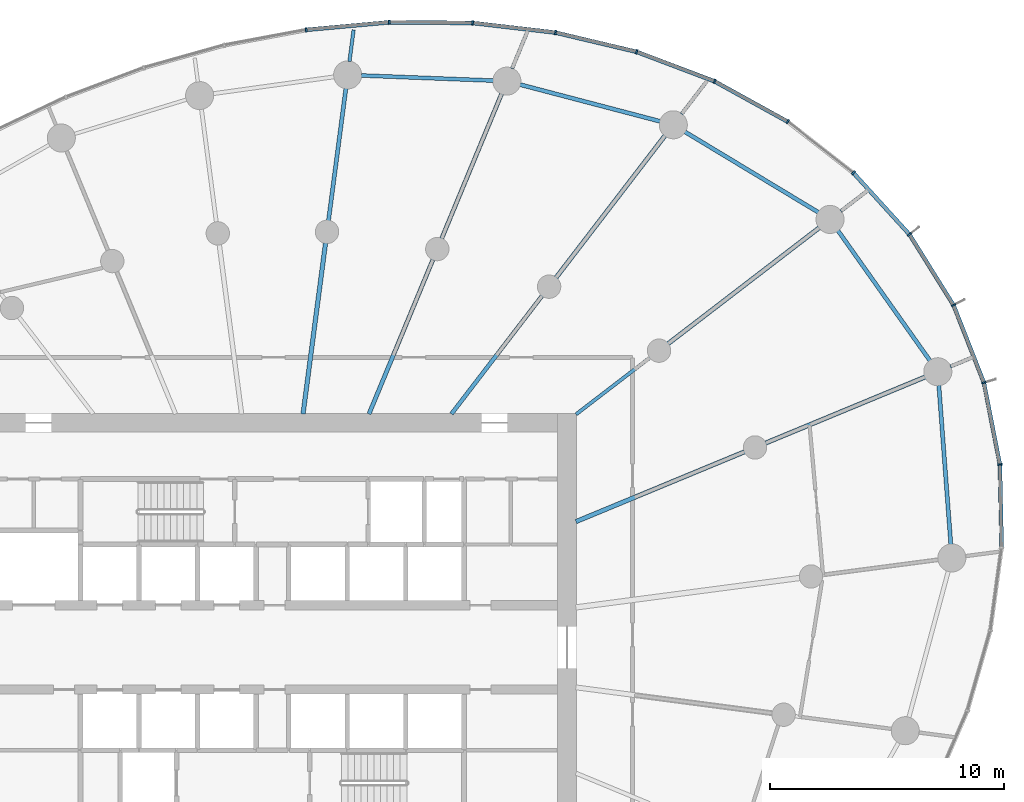
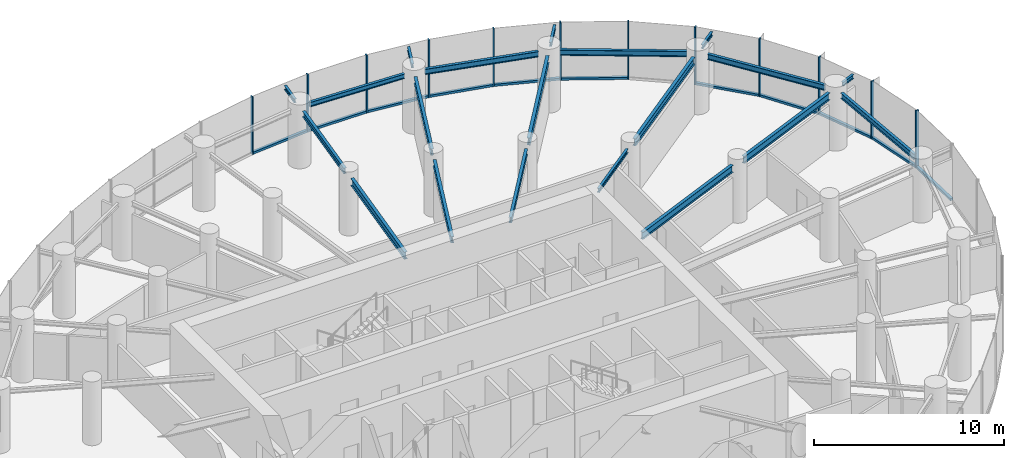
# One storey, part 7 of 17: 23 members, 20 beams, 3 elements without a shape of their own.
"""IFC4 building model written with IfcOpenShell, lengths in metres."""

from ifc_helpers import new_model, si_unit, direction, frame, origin, origin_2d, place, context, subcontext, project, spatial, rectangle, i_section, extrude, source, transform, mapped, material, layer, layer_set, material_profile, profile_set, type_object, element, aggregate, save


model = new_model("IFC4")

# Units and contexts
model_context = context("Model", 3, precision=1e-05, world=origin(), true_north=direction((0.0, 1.0)))
body_context = subcontext(model_context, "Body", "Model", "MODEL_VIEW")
ifc_project = project(units=[si_unit("LENGTHUNIT", "METRE"), si_unit("AREAUNIT", "SQUARE_METRE"), si_unit("VOLUMEUNIT", "CUBIC_METRE"), si_unit("PLANEANGLEUNIT", "RADIAN"), si_unit("MASSUNIT", "GRAM", prefix="KILO")], contexts=[model_context])

# Site, building, storey
site_placement = place(None, origin())
site = spatial("IfcSite", under=ifc_project, at=site_placement, CompositionType="ELEMENT")
building_placement = place(site_placement, origin())
building = spatial("IfcBuilding", under=site, at=building_placement, Name="Spindrift Exchange Tower", CompositionType="ELEMENT")
storey_placement = place(building_placement, frame((0.0, 0.0, 100.300048828125)))
storey = spatial("IfcBuildingStorey", under=building, at=storey_placement, Name="L23", CompositionType="ELEMENT", Elevation=100.300048828125)

# Beams
ifc_material_1 = material(Name="Steel Grade 300", Category="steel")
ifc_material_profile_1 = material_profile(ifc_material_1, i_section(OverallWidth=0.18994140625, OverallDepth=0.45703125, WebThickness=0.009033203125, FlangeThickness=0.014404296875, FilletRadius=0.013916015625, at=origin_2d()), Name="460UB74.6")
ifc_profile_set_1 = profile_set([ifc_material_profile_1], Name="Steel Grade 300")
beam_type_1 = type_object("IfcBeamType", Name="Floor Beam 460UB74.6 Steel Grade 300", PredefinedType="BEAM", material=ifc_profile_set_1)
shared_shape_1 = source(origin(), body_context, "Body", "SweptSolid", [
    extrude(i_section(OverallWidth=0.18994140625, OverallDepth=0.45703125, WebThickness=0.009033203125, FlangeThickness=0.014404296875, FilletRadius=0.013916015625, at=origin_2d()), origin(), (0.0, 0.0, 1.0), 7.808837890625),
])
beam_1_placement = place(storey_placement, frame((64.9814453125, 53.377197265625, 3.471435546875), z_axis=(0.92387965154, 0.382683145003, 0.0), x_axis=(-0.382683145003, 0.92387965154, 0.0)))
element("IfcBeam", 1, at=beam_1_placement, inside=storey, type_object=beam_type_1, Name="L23 radial beam R02A", PredefinedType="BEAM", context=body_context, shape_type="MappedRepresentation", body=[
    mapped(shared_shape_1, transform((0.0, 0.0, 0.0), scale=1.0)),
])
ifc_material_profile_2 = material_profile(ifc_material_1, i_section(OverallWidth=0.14599609375, OverallDepth=0.251953125, WebThickness=0.006103515625, FlangeThickness=0.008544921875, FilletRadius=0.011962890625, at=origin_2d()), Name="250UB31.4")
ifc_profile_set_2 = profile_set([ifc_material_profile_2], Name="Steel Grade 300")
beam_type_2 = type_object("IfcBeamType", Name="Floor Beam 250UB31.4 Steel Grade 300", PredefinedType="BEAM", material=ifc_profile_set_2)
shared_shape_2 = source(origin(), body_context, "Body", "SweptSolid", [
    extrude(i_section(OverallWidth=0.14599609375, OverallDepth=0.251953125, WebThickness=0.006103515625, FlangeThickness=0.008544921875, FilletRadius=0.011962890625, at=origin_2d()), origin(), (0.0, 0.0, 1.0), 3.99560546875),
])
beam_2_placement = place(storey_placement, frame((64.984130859375, 57.963134765625, 3.573974609375), z_axis=(0.793352561574, 0.608762443851, 0.0), x_axis=(-0.608762443851, 0.793352561574, 0.0)))
element("IfcBeam", 2, at=beam_2_placement, inside=storey, type_object=beam_type_2, Name="L23 radial beam R03A", PredefinedType="BEAM", context=body_context, shape_type="MappedRepresentation", body=[
    mapped(shared_shape_2, transform((0.0, 0.0, 0.0), scale=1.0)),
])
ifc_material_profile_3 = material_profile(ifc_material_1, i_section(OverallWidth=0.172119140625, OverallDepth=0.35888671875, WebThickness=0.008056640625, FlangeThickness=0.012939453125, FilletRadius=0.013916015625, at=origin_2d()), Name="360UB56.7")
ifc_profile_set_3 = profile_set([ifc_material_profile_3], Name="Steel Grade 300")
beam_type_3 = type_object("IfcBeamType", Name="Floor Beam 360UB56.7 Steel Grade 300", PredefinedType="BEAM", material=ifc_profile_set_3)
shared_shape_3 = source(origin(), body_context, "Body", "SweptSolid", [
    extrude(i_section(OverallWidth=0.172119140625, OverallDepth=0.35888671875, WebThickness=0.008056640625, FlangeThickness=0.012939453125, FilletRadius=0.013916015625, at=origin_2d()), origin(), (0.0, 0.0, 1.0), 6.37646484375),
])
beam_3_placement = place(storey_placement, frame((59.6611328125, 57.984130859375, 3.5205078125), z_axis=(0.608766669952, 0.793349318747, 0.0), x_axis=(-0.793349318747, 0.608766669952, 0.0)))
element("IfcBeam", 3, at=beam_3_placement, inside=storey, type_object=beam_type_3, Name="L23 radial beam R04A", PredefinedType="BEAM", context=body_context, shape_type="MappedRepresentation", body=[
    mapped(shared_shape_3, transform((0.0, 0.0, 0.0), scale=1.0)),
])
ifc_material_profile_4 = material_profile(ifc_material_1, i_section(OverallWidth=0.177978515625, OverallDepth=0.406005859375, WebThickness=0.0078125, FlangeThickness=0.0126953125, FilletRadius=0.013916015625, at=origin_2d()), Name="410UB59.7")
ifc_profile_set_4 = profile_set([ifc_material_profile_4], Name="Steel Grade 300")
beam_type_4 = type_object("IfcBeamType", Name="Floor Beam 410UB59.7 Steel Grade 300", PredefinedType="BEAM", material=ifc_profile_set_4)
shared_shape_4 = source(origin(), body_context, "Body", "SweptSolid", [
    extrude(i_section(OverallWidth=0.177978515625, OverallDepth=0.406005859375, WebThickness=0.0078125, FlangeThickness=0.0126953125, FilletRadius=0.013916015625, at=origin_2d()), origin(), (0.0, 0.0, 1.0), 7.150634765625),
])
beam_4_placement = place(storey_placement, frame((56.134521484375, 57.9814453125, 3.4970703125), z_axis=(0.382665393358, 0.923887004306, 0.0), x_axis=(-0.923887004306, 0.382665393358, 0.0)))
element("IfcBeam", 4, at=beam_4_placement, inside=storey, type_object=beam_type_4, Name="L23 radial beam R05A", PredefinedType="BEAM", context=body_context, shape_type="MappedRepresentation", body=[
    mapped(shared_shape_4, transform((0.0, 0.0, 0.0), scale=1.0)),
])
shared_shape_5 = source(origin(), body_context, "Body", "SweptSolid", [
    extrude(i_section(OverallWidth=0.18994140625, OverallDepth=0.45703125, WebThickness=0.009033203125, FlangeThickness=0.014404296875, FilletRadius=0.013916015625, at=origin_2d()), origin(), (0.0, 0.0, 1.0), 7.374267578125),
])
beam_5_placement = place(storey_placement, frame((53.31396484375, 57.980224609375, 3.471435546875), z_axis=(0.130539295622, 0.99144313619, 0.0), x_axis=(-0.99144313619, 0.130539295622, 0.0)))
element("IfcBeam", 5, at=beam_5_placement, inside=storey, type_object=beam_type_1, Name="L23 radial beam R06A", PredefinedType="BEAM", context=body_context, shape_type="MappedRepresentation", body=[
    mapped(shared_shape_5, transform((0.0, 0.0, 0.0), scale=1.0)),
])
shared_shape_6 = source(origin(), body_context, "Body", "SweptSolid", [
    extrude(i_section(OverallWidth=0.18994140625, OverallDepth=0.45703125, WebThickness=0.009033203125, FlangeThickness=0.014404296875, FilletRadius=0.013916015625, at=origin_2d()), origin(), (0.0, 0.0, 1.0), 7.400146484375),
])
beam_6_placement = place(storey_placement, frame((73.082763671875, 56.73291015625, 3.471435546875), z_axis=(0.923886957755, 0.382665505749, 0.0), x_axis=(-0.382665505749, 0.923886957755, 0.0)))
element("IfcBeam", 6, at=beam_6_placement, inside=storey, type_object=beam_type_1, Name="L23 radial beam R02B", PredefinedType="BEAM", context=body_context, shape_type="MappedRepresentation", body=[
    mapped(shared_shape_6, transform((0.0, 0.0, 0.0), scale=1.0)),
])
shared_shape_7 = source(origin(), body_context, "Body", "SweptSolid", [
    extrude(i_section(OverallWidth=0.18994140625, OverallDepth=0.45703125, WebThickness=0.009033203125, FlangeThickness=0.014404296875, FilletRadius=0.013916015625, at=origin_2d()), origin(), (0.0, 0.0, 1.0), 8.158447265625),
])
beam_7_placement = place(storey_placement, frame((68.91552734375, 60.979736328125, 3.471435546875), z_axis=(0.793358732539, 0.608754401631, 0.0), x_axis=(-0.608754401631, 0.793358732539, 0.0)))
element("IfcBeam", 7, at=beam_7_placement, inside=storey, type_object=beam_type_1, Name="L23 radial beam R03B", PredefinedType="BEAM", context=body_context, shape_type="MappedRepresentation", body=[
    mapped(shared_shape_7, transform((0.0, 0.0, 0.0), scale=1.0)),
])
shared_shape_8 = source(origin(), body_context, "Body", "SweptSolid", [
    extrude(i_section(OverallWidth=0.18994140625, OverallDepth=0.45703125, WebThickness=0.009033203125, FlangeThickness=0.014404296875, FilletRadius=0.013916015625, at=origin_2d()), origin(), (0.0, 0.0, 1.0), 7.663818359375),
])
beam_8_placement = place(storey_placement, frame((64.127197265625, 63.8046875, 3.471435546875), z_axis=(0.608771227503, 0.793345821546, 0.0), x_axis=(-0.793345821546, 0.608771227503, 0.0)))
element("IfcBeam", 8, at=beam_8_placement, inside=storey, type_object=beam_type_1, Name="L23 radial beam R04B", PredefinedType="BEAM", context=body_context, shape_type="MappedRepresentation", body=[
    mapped(shared_shape_8, transform((0.0, 0.0, 0.0), scale=1.0)),
])
shared_shape_9 = source(origin(), body_context, "Body", "SweptSolid", [
    extrude(i_section(OverallWidth=0.177978515625, OverallDepth=0.406005859375, WebThickness=0.0078125, FlangeThickness=0.0126953125, FilletRadius=0.013916015625, at=origin_2d()), origin(), (0.0, 0.0, 1.0), 6.71240234375),
])
beam_9_placement = place(storey_placement, frame((59.23828125, 65.474853515625, 3.4970703125), z_axis=(0.382669812754, 0.923885173821, 0.0), x_axis=(-0.923885173821, 0.382669812754, 0.0)))
element("IfcBeam", 9, at=beam_9_placement, inside=storey, type_object=beam_type_4, Name="L23 radial beam R05B", PredefinedType="BEAM", context=body_context, shape_type="MappedRepresentation", body=[
    mapped(shared_shape_9, transform((0.0, 0.0, 0.0), scale=1.0)),
])
shared_shape_10 = source(origin(), body_context, "Body", "SweptSolid", [
    extrude(i_section(OverallWidth=0.172119140625, OverallDepth=0.35888671875, WebThickness=0.008056640625, FlangeThickness=0.012939453125, FilletRadius=0.013916015625, at=origin_2d()), origin(), (0.0, 0.0, 1.0), 5.70751953125),
])
beam_10_placement = place(storey_placement, frame((54.40185546875, 66.2431640625, 3.5205078125), z_axis=(0.130507624881, 0.991447305634, 0.0), x_axis=(-0.991447305634, 0.130507624881, 0.0)))
element("IfcBeam", 10, at=beam_10_placement, inside=storey, type_object=beam_type_3, Name="L23 radial beam R06B", PredefinedType="BEAM", context=body_context, shape_type="MappedRepresentation", body=[
    mapped(shared_shape_10, transform((0.0, 0.0, 0.0), scale=1.0)),
])
ifc_material_profile_5 = material_profile(ifc_material_1, i_section(OverallWidth=0.172119140625, OverallDepth=0.35888671875, WebThickness=0.008056640625, FlangeThickness=0.012939453125, FilletRadius=0.013916015625, at=origin_2d()), Name="360UB56.7")
ifc_profile_set_5 = profile_set([ifc_material_profile_5], Name="Steel Grade 300")
beam_type_5 = type_object("IfcBeamType", Name="Edge Beam 360UB56.7 Steel Grade 300", PredefinedType="SPANDREL", material=ifc_profile_set_5)
shared_shape_11 = source(origin(), body_context, "Body", "SweptSolid", [
    extrude(i_section(OverallWidth=0.172119140625, OverallDepth=0.35888671875, WebThickness=0.008056640625, FlangeThickness=0.012939453125, FilletRadius=0.013916015625, at=origin_2d()), origin(), (0.0, 0.0, 1.0), 6.82373046875),
])
beam_11_placement = place(storey_placement, frame((81.0126953125, 52.40380859375, 3.5205078125), z_axis=(-0.075276463877, 0.997162701863, 0.0), x_axis=(-0.997162701863, -0.075276463877, 0.0)))
element("IfcBeam", 11, at=beam_11_placement, inside=storey, type_object=beam_type_5, Name="L23 edge beam E01", PredefinedType="SPANDREL", context=body_context, shape_type="MappedRepresentation", body=[
    mapped(shared_shape_11, transform((0.0, 0.0, 0.0), scale=1.0)),
])
shared_shape_12 = source(origin(), body_context, "Body", "SweptSolid", [
    extrude(i_section(OverallWidth=0.172119140625, OverallDepth=0.35888671875, WebThickness=0.008056640625, FlangeThickness=0.012939453125, FilletRadius=0.013916015625, at=origin_2d()), origin(), (0.0, 0.0, 1.0), 6.81787109375),
])
beam_12_placement = place(storey_placement, frame((80.12060546875, 60.260009765625, 3.5205078125), z_axis=(-0.577526426198, 0.816371990604, 0.0), x_axis=(-0.816371990604, -0.577526426198, 0.0)))
element("IfcBeam", 12, at=beam_12_placement, inside=storey, type_object=beam_type_5, Name="L23 edge beam E02", PredefinedType="SPANDREL", context=body_context, shape_type="MappedRepresentation", body=[
    mapped(shared_shape_12, transform((0.0, 0.0, 0.0), scale=1.0)),
])
shared_shape_13 = source(origin(), body_context, "Body", "SweptSolid", [
    extrude(i_section(OverallWidth=0.172119140625, OverallDepth=0.35888671875, WebThickness=0.008056640625, FlangeThickness=0.012939453125, FilletRadius=0.013916015625, at=origin_2d()), origin(), (0.0, 0.0, 1.0), 6.668701171875),
])
beam_13_placement = place(storey_placement, frame((75.3515625, 66.59912109375, 3.5205078125), z_axis=(-0.856133207479, 0.516755194508, 0.0), x_axis=(-0.516755194508, -0.856133207479, 0.0)))
element("IfcBeam", 13, at=beam_13_placement, inside=storey, type_object=beam_type_5, Name="L23 edge beam E03", PredefinedType="SPANDREL", context=body_context, shape_type="MappedRepresentation", body=[
    mapped(shared_shape_13, transform((0.0, 0.0, 0.0), scale=1.0)),
])
shared_shape_14 = source(origin(), body_context, "Body", "SweptSolid", [
    extrude(i_section(OverallWidth=0.172119140625, OverallDepth=0.35888671875, WebThickness=0.008056640625, FlangeThickness=0.012939453125, FilletRadius=0.013916015625, at=origin_2d()), origin(), (0.0, 0.0, 1.0), 6.197509765625),
])
beam_14_placement = place(storey_placement, frame((68.584716796875, 70.491943359375, 3.5205078125), z_axis=(-0.967254420813, 0.253808757567, 0.0), x_axis=(-0.253808757567, -0.967254420813, 0.0)))
element("IfcBeam", 14, at=beam_14_placement, inside=storey, type_object=beam_type_5, Name="L23 edge beam E04", PredefinedType="SPANDREL", context=body_context, shape_type="MappedRepresentation", body=[
    mapped(shared_shape_14, transform((0.0, 0.0, 0.0), scale=1.0)),
])
ifc_material_profile_6 = material_profile(ifc_material_1, i_section(OverallWidth=0.1650390625, OverallDepth=0.303955078125, WebThickness=0.006103515625, FlangeThickness=0.01025390625, FilletRadius=0.011474609375, at=origin_2d()), Name="310UB40.4")
ifc_profile_set_6 = profile_set([ifc_material_profile_6], Name="Steel Grade 300")
beam_type_6 = type_object("IfcBeamType", Name="Edge Beam 310UB40.4 Steel Grade 300", PredefinedType="SPANDREL", material=ifc_profile_set_6)
shared_shape_15 = source(origin(), body_context, "Body", "SweptSolid", [
    extrude(i_section(OverallWidth=0.1650390625, OverallDepth=0.303955078125, WebThickness=0.006103515625, FlangeThickness=0.01025390625, FilletRadius=0.011474609375, at=origin_2d()), origin(), (0.0, 0.0, 1.0), 5.65185546875),
])
beam_15_placement = place(storey_placement, frame((61.449462890625, 72.234619140625, 3.5478515625), z_axis=(-0.99924397539, 0.038877726865, 0.0), x_axis=(-0.038877726865, -0.99924397539, 0.0)))
element("IfcBeam", 15, at=beam_15_placement, inside=storey, type_object=beam_type_6, Name="L23 edge beam E05", PredefinedType="SPANDREL", context=body_context, shape_type="MappedRepresentation", body=[
    mapped(shared_shape_15, transform((0.0, 0.0, 0.0), scale=1.0)),
])
ifc_material_profile_7 = material_profile(ifc_material_1, i_section(OverallWidth=0.14599609375, OverallDepth=0.251953125, WebThickness=0.006103515625, FlangeThickness=0.008544921875, FilletRadius=0.011962890625, at=origin_2d()), Name="250UB31.4")
ifc_profile_set_7 = profile_set([ifc_material_profile_7], Name="Steel Grade 300")
beam_type_7 = type_object("IfcBeamType", Name="Cantilever Beam 250UB31.4 Steel Grade 300", PredefinedType="BEAM", material=ifc_profile_set_7)
shared_shape_16 = source(origin(), body_context, "Body", "SweptSolid", [
    extrude(i_section(OverallWidth=0.14599609375, OverallDepth=0.251953125, WebThickness=0.006103515625, FlangeThickness=0.008544921875, FilletRadius=0.011962890625, at=origin_2d()), origin(), (0.0, 0.0, 1.0), 0.9267578125),
])
beam_16_placement = place(storey_placement, frame((80.9912109375, 60.008544921875, 3.573974609375), z_axis=(0.923846648553, 0.382762811619, 0.0), x_axis=(-0.382762811619, 0.923846648553, 0.0)))
element("IfcBeam", 16, at=beam_16_placement, inside=storey, type_object=beam_type_7, Name="L23 cantilever beam R02T", PredefinedType="BEAM", context=body_context, shape_type="MappedRepresentation", body=[
    mapped(shared_shape_16, transform((0.0, 0.0, 0.0), scale=1.0)),
])
shared_shape_17 = source(origin(), body_context, "Body", "SweptSolid", [
    extrude(i_section(OverallWidth=0.14599609375, OverallDepth=0.251953125, WebThickness=0.006103515625, FlangeThickness=0.008544921875, FilletRadius=0.011962890625, at=origin_2d()), origin(), (0.0, 0.0, 1.0), 1.33740234375),
])
beam_17_placement = place(storey_placement, frame((76.308349609375, 66.652587890625, 3.573974609375), z_axis=(0.793424144756, 0.608669143722, 0.0), x_axis=(-0.608669143722, 0.793424144756, 0.0)))
element("IfcBeam", 17, at=beam_17_placement, inside=storey, type_object=beam_type_7, Name="L23 cantilever beam R03T", PredefinedType="BEAM", context=body_context, shape_type="MappedRepresentation", body=[
    mapped(shared_shape_17, transform((0.0, 0.0, 0.0), scale=1.0)),
])
shared_shape_18 = source(origin(), body_context, "Body", "SweptSolid", [
    extrude(i_section(OverallWidth=0.14599609375, OverallDepth=0.251953125, WebThickness=0.006103515625, FlangeThickness=0.008544921875, FilletRadius=0.011962890625, at=origin_2d()), origin(), (0.0, 0.0, 1.0), 1.67724609375),
])
beam_18_placement = place(storey_placement, frame((69.498779296875, 70.804931640625, 3.573974609375), z_axis=(0.608767651561, 0.79334856552, 0.0), x_axis=(-0.79334856552, 0.608767651561, 0.0)))
element("IfcBeam", 18, at=beam_18_placement, inside=storey, type_object=beam_type_7, Name="L23 cantilever beam R04T", PredefinedType="BEAM", context=body_context, shape_type="MappedRepresentation", body=[
    mapped(shared_shape_18, transform((0.0, 0.0, 0.0), scale=1.0)),
])
shared_shape_19 = source(origin(), body_context, "Body", "SweptSolid", [
    extrude(i_section(OverallWidth=0.14599609375, OverallDepth=0.251953125, WebThickness=0.006103515625, FlangeThickness=0.008544921875, FilletRadius=0.011962890625, at=origin_2d()), origin(), (0.0, 0.0, 1.0), 1.62890625),
])
beam_19_placement = place(storey_placement, frame((62.2509765625, 72.748046875, 3.573974609375), z_axis=(0.382656259044, 0.923890787601, 0.0), x_axis=(-0.923890787601, 0.382656259044, 0.0)))
element("IfcBeam", 19, at=beam_19_placement, inside=storey, type_object=beam_type_7, Name="L23 cantilever beam R05T", PredefinedType="BEAM", context=body_context, shape_type="MappedRepresentation", body=[
    mapped(shared_shape_19, transform((0.0, 0.0, 0.0), scale=1.0)),
])
shared_shape_20 = source(origin(), body_context, "Body", "SweptSolid", [
    extrude(i_section(OverallWidth=0.14599609375, OverallDepth=0.251953125, WebThickness=0.006103515625, FlangeThickness=0.008544921875, FilletRadius=0.011962890625, at=origin_2d()), origin(), (0.0, 0.0, 1.0), 1.366943359375),
])
beam_20_placement = place(storey_placement, frame((55.298095703125, 73.0517578125, 3.573974609375), z_axis=(0.130560775534, 0.991440307781, 0.0), x_axis=(-0.991440307781, 0.130560775534, 0.0)))
element("IfcBeam", 20, at=beam_20_placement, inside=storey, type_object=beam_type_7, Name="L23 cantilever beam R06T", PredefinedType="BEAM", context=body_context, shape_type="MappedRepresentation", body=[
    mapped(shared_shape_20, transform((0.0, 0.0, 0.0), scale=1.0)),
])

# Curtain wall, members
ifc_material_2 = material(Name="Fritted laminated glass with bronze frame", Category="glass")
ifc_layer = layer(ifc_material_2, 0.18994140625)
ifc_layer_set = layer_set([ifc_layer], Name="ZONE 2 BRONZE FRITTED WALL")
curtain_wall_type = type_object("IfcCurtainWallType", Name="ZONE 2 BRONZE FRITTED WALL", PredefinedType="NOTDEFINED", material=ifc_layer_set)
curtain_wall_1_placement = place(storey_placement, origin())
curtain_wall_1 = element("IfcCurtainWall", 21, at=curtain_wall_1_placement, inside=storey, type_object=curtain_wall_type, Name="L23 Zone 2 Bronze Fritted Wall run 1", PredefinedType="NOTDEFINED")
ifc_material_3 = material(Name="Bronze anodised aluminium", Category="aluminium")
ifc_material_profile_8 = material_profile(ifc_material_3, rectangle(XDim=0.074951171875, YDim=0.18994140625, at=origin_2d()), Name="ZONE 2 BRONZE FRITTED WALL MULLION 75X190")
ifc_profile_set_8 = profile_set([ifc_material_profile_8], Name="Bronze anodised aluminium")
member_type_1 = type_object("IfcMemberType", Name="ZONE 2 BRONZE FRITTED WALL MULLION 75X190", PredefinedType="MULLION", material=ifc_profile_set_8)
shared_shape_21 = source(origin(), body_context, "Body", "SweptSolid", [
    extrude(rectangle(XDim=0.074951171875, YDim=0.18994140625, at=origin_2d()), origin(), (0.0, 0.0, 1.0), 3.699951171875),
])
member_1_placement = place(storey_placement, frame((81.1279296875, 62.63427734375, 0.0), z_axis=(0.0, 0.0, 1.0), x_axis=(-0.448948887755, 0.893557438659, 0.0)))
member_1 = element("IfcMember", 22, at=member_1_placement, type_object=member_type_1, Name="L23 mullion CW-2.1", PredefinedType="MULLION", context=body_context, shape_type="MappedRepresentation", body=[
    mapped(shared_shape_21, transform((0.0, 0.0, 0.0), scale=1.0)),
])
member_2_placement = place(storey_placement, frame((79.2421875, 65.656982421875, 0.0), z_axis=(0.0, 0.0, 1.0), x_axis=(-0.603649413144, 0.797249889314, 0.0)))
member_2 = element("IfcMember", 23, at=member_2_placement, type_object=member_type_1, Name="L23 mullion CW-2.2", PredefinedType="MULLION", context=body_context, shape_type="MappedRepresentation", body=[
    mapped(shared_shape_21, transform((0.0, 0.0, 0.0), scale=1.0)),
])
member_3_placement = place(storey_placement, frame((76.843994140625, 68.292236328125, 0.0), z_axis=(0.0, 0.0, 1.0), x_axis=(-0.73372505754, 0.679446495273, 0.0)))
member_3 = element("IfcMember", 24, at=member_3_placement, type_object=member_type_1, Name="L23 mullion CW-2.3", PredefinedType="MULLION", context=body_context, shape_type="MappedRepresentation", body=[
    mapped(shared_shape_21, transform((0.0, 0.0, 0.0), scale=1.0)),
])
member_4_placement = place(storey_placement, frame((74.031982421875, 70.481689453125, 0.0), z_axis=(0.0, 0.0, 1.0), x_axis=(-0.834806731882, 0.550543114029, 0.0)))
member_4 = element("IfcMember", 25, at=member_4_placement, type_object=member_type_1, Name="L23 mullion CW-2.4", PredefinedType="MULLION", context=body_context, shape_type="MappedRepresentation", body=[
    mapped(shared_shape_21, transform((0.0, 0.0, 0.0), scale=1.0)),
])
member_5_placement = place(storey_placement, frame((70.91162109375, 72.204345703125, 0.0), z_axis=(0.0, 0.0, 1.0), x_axis=(-0.907680674706, 0.419661521665, 0.0)))
member_5 = element("IfcMember", 26, at=member_5_placement, type_object=member_type_1, Name="L23 mullion CW-2.5", PredefinedType="MULLION", context=body_context, shape_type="MappedRepresentation", body=[
    mapped(shared_shape_21, transform((0.0, 0.0, 0.0), scale=1.0)),
])
member_6_placement = place(storey_placement, frame((67.577392578125, 73.466064453125, 0.0), z_axis=(0.0, 0.0, 1.0), x_axis=(-0.956149930334, 0.292877637797, 0.0)))
member_6 = element("IfcMember", 27, at=member_6_placement, type_object=member_type_1, Name="L23 mullion CW-2.6", PredefinedType="MULLION", context=body_context, shape_type="MappedRepresentation", body=[
    mapped(shared_shape_21, transform((0.0, 0.0, 0.0), scale=1.0)),
])

curtain_wall_2_placement = place(storey_placement, origin())
curtain_wall_2 = element("IfcCurtainWall", 28, at=curtain_wall_2_placement, inside=storey, type_object=curtain_wall_type, Name="L23 Zone 2 Bronze Fritted Wall run 2", PredefinedType="NOTDEFINED")
member_7_placement = place(storey_placement, frame((64.10791015625, 74.288330078125, 0.0), z_axis=(0.0, 0.0, 1.0), x_axis=(-0.984867616602, 0.173308331501, 0.0)))
member_7 = element("IfcMember", 29, at=member_7_placement, type_object=member_type_1, Name="L23 mullion CW-2.7", PredefinedType="MULLION", context=body_context, shape_type="MappedRepresentation", body=[
    mapped(shared_shape_21, transform((0.0, 0.0, 0.0), scale=1.0)),
])
member_8_placement = place(storey_placement, frame((60.56591796875, 74.69970703125, 0.0), z_axis=(0.0, 0.0, 1.0), x_axis=(-0.99807823572, 0.061966405271, 0.0)))
member_8 = element("IfcMember", 30, at=member_8_placement, type_object=member_type_1, Name="L23 mullion CW-2.8", PredefinedType="MULLION", context=body_context, shape_type="MappedRepresentation", body=[
    mapped(shared_shape_21, transform((0.0, 0.0, 0.0), scale=1.0)),
])
member_9_placement = place(storey_placement, frame((56.999755859375, 74.729736328125, 0.0), z_axis=(0.0, 0.0, 1.0), x_axis=(-0.999145749976, -0.041325177604, 0.0)))
member_9 = element("IfcMember", 31, at=member_9_placement, type_object=member_type_1, Name="L23 mullion CW-2.9", PredefinedType="MULLION", context=body_context, shape_type="MappedRepresentation", body=[
    mapped(shared_shape_21, transform((0.0, 0.0, 0.0), scale=1.0)),
])
member_10_placement = place(storey_placement, frame((53.4482421875, 74.405517578125, 0.0), z_axis=(0.0, 0.0, 1.0), x_axis=(-0.990519272236, -0.137373837862, 0.0)))
member_10 = element("IfcMember", 32, at=member_10_placement, type_object=member_type_1, Name="L23 mullion CW-2.10", PredefinedType="MULLION", context=body_context, shape_type="MappedRepresentation", body=[
    mapped(shared_shape_21, transform((0.0, 0.0, 0.0), scale=1.0)),
])

curtain_wall_3_placement = place(storey_placement, origin())
curtain_wall_3 = element("IfcCurtainWall", 33, at=curtain_wall_3_placement, inside=storey, type_object=curtain_wall_type, Name="L23 Zone 2 Bronze Fritted Wall run 9", PredefinedType="NOTDEFINED")
member_11_placement = place(storey_placement, frame((83.110107421875, 55.820068359375, 0.0), z_axis=(0.0, 0.0, 1.0), x_axis=(-0.107149898987, 0.994242877343, 0.0)))
member_11 = element("IfcMember", 34, at=member_11_placement, type_object=member_type_1, Name="L23 mullion CW-2.50", PredefinedType="MULLION", context=body_context, shape_type="MappedRepresentation", body=[
    mapped(shared_shape_21, transform((0.0, 0.0, 0.0), scale=1.0)),
])
member_12_placement = place(storey_placement, frame((82.427490234375, 59.317138671875, 0.0), z_axis=(0.0, 0.0, 1.0), x_axis=(-0.279315362604, 0.960199421065, 0.0)))
member_12 = element("IfcMember", 35, at=member_12_placement, type_object=member_type_1, Name="L23 mullion CW-2.51", PredefinedType="MULLION", context=body_context, shape_type="MappedRepresentation", body=[
    mapped(shared_shape_21, transform((0.0, 0.0, 0.0), scale=1.0)),
])

# Member
ifc_material_profile_9 = material_profile(ifc_material_3, rectangle(XDim=0.169921875, YDim=0.139892578125, at=origin_2d()), Name="ZONE 2 BRONZE FRITTED WALL TRANSOM 170X140")
ifc_profile_set_9 = profile_set([ifc_material_profile_9], Name="Bronze anodised aluminium")
member_type_2 = type_object("IfcMemberType", Name="ZONE 2 BRONZE FRITTED WALL TRANSOM 170X140", PredefinedType="USERDEFINED", material=ifc_profile_set_9)
shared_shape_22 = source(origin(), body_context, "Body", "SweptSolid", [
    extrude(rectangle(XDim=0.169921875, YDim=0.139892578125, at=origin_2d()), origin(), (0.0, 0.0, 1.0), 3.4912109375),
])
member_13_placement = place(storey_placement, frame((60.5283203125, 74.7001953125, 0.070068359375), z_axis=(-0.999964787389, 0.008391899747, 0.0), x_axis=(-0.008391899747, -0.999964787389, 0.0)))
member_13 = element("IfcMember", 36, at=member_13_placement, type_object=member_type_2, Name="L23 transom CW-2.8", ObjectType="TRANSOM", PredefinedType="USERDEFINED", context=body_context, shape_type="MappedRepresentation", body=[
    mapped(shared_shape_22, transform((0.0, 0.0, 0.0), scale=1.0)),
])

member_14_placement = place(storey_placement, frame((56.96240234375, 74.726318359375, 0.070068359375), z_axis=(-0.995852985711, -0.090977089699, 0.0), x_axis=(0.090977089699, -0.995852985711, 0.0)))
member_14 = element("IfcMember", 37, at=member_14_placement, type_object=member_type_2, Name="L23 transom CW-2.9", ObjectType="TRANSOM", PredefinedType="USERDEFINED", context=body_context, shape_type="MappedRepresentation", body=[
    mapped(shared_shape_22, transform((0.0, 0.0, 0.0), scale=1.0)),
])

shared_shape_23 = source(origin(), body_context, "Body", "SweptSolid", [
    extrude(rectangle(XDim=0.169921875, YDim=0.139892578125, at=origin_2d()), origin(), (0.0, 0.0, 1.0), 3.48828125),
])
member_15_placement = place(storey_placement, frame((83.10302734375, 55.856689453125, 0.070068359375), z_axis=(-0.191564627011, 0.98148000167, 0.0), x_axis=(-0.98148000167, -0.191564627011, 0.0)))
member_15 = element("IfcMember", 38, at=member_15_placement, type_object=member_type_2, Name="L23 transom CW-2.50", ObjectType="TRANSOM", PredefinedType="USERDEFINED", context=body_context, shape_type="MappedRepresentation", body=[
    mapped(shared_shape_23, transform((0.0, 0.0, 0.0), scale=1.0)),
])

shared_shape_24 = source(origin(), body_context, "Body", "SweptSolid", [
    extrude(rectangle(XDim=0.169921875, YDim=0.139892578125, at=origin_2d()), origin(), (0.0, 0.0, 1.0), 3.487548828125),
])
member_16_placement = place(storey_placement, frame((82.413818359375, 59.35205078125, 0.070068359375), z_axis=(-0.364779393592, 0.931093977003, 0.0), x_axis=(-0.931093977003, -0.364779393592, 0.0)))
member_16 = element("IfcMember", 39, at=member_16_placement, type_object=member_type_2, Name="L23 transom CW-2.51", ObjectType="TRANSOM", PredefinedType="USERDEFINED", context=body_context, shape_type="MappedRepresentation", body=[
    mapped(shared_shape_24, transform((0.0, 0.0, 0.0), scale=1.0)),
])

shared_shape_25 = source(origin(), body_context, "Body", "SweptSolid", [
    extrude(rectangle(XDim=0.169921875, YDim=0.139892578125, at=origin_2d()), origin(), (0.0, 0.0, 1.0), 3.48779296875),
])
member_17_placement = place(storey_placement, frame((81.108154296875, 62.666015625, 0.070068359375), z_axis=(-0.529312959018, 0.848426656474, 0.0), x_axis=(-0.848426656474, -0.529312959018, 0.0)))
member_17 = element("IfcMember", 40, at=member_17_placement, type_object=member_type_2, Name="L23 transom CW-2.1", ObjectType="TRANSOM", PredefinedType="USERDEFINED", context=body_context, shape_type="MappedRepresentation", body=[
    mapped(shared_shape_25, transform((0.0, 0.0, 0.0), scale=1.0)),
])

shared_shape_26 = source(origin(), body_context, "Body", "SweptSolid", [
    extrude(rectangle(XDim=0.169921875, YDim=0.139892578125, at=origin_2d()), origin(), (0.0, 0.0, 1.0), 3.489501953125),
])
member_18_placement = place(storey_placement, frame((73.999267578125, 70.499755859375, 0.070068359375), z_axis=(-0.875451120497, 0.483306668297, 0.0), x_axis=(-0.483306668297, -0.875451120497, 0.0)))
member_18 = element("IfcMember", 41, at=member_18_placement, type_object=member_type_2, Name="L23 transom CW-2.4", ObjectType="TRANSOM", PredefinedType="USERDEFINED", context=body_context, shape_type="MappedRepresentation", body=[
    mapped(shared_shape_26, transform((0.0, 0.0, 0.0), scale=1.0)),
])

shared_shape_27 = source(origin(), body_context, "Body", "SweptSolid", [
    extrude(rectangle(XDim=0.169921875, YDim=0.139892578125, at=origin_2d()), origin(), (0.0, 0.0, 1.0), 3.49072265625),
])
member_19_placement = place(storey_placement, frame((67.540771484375, 73.474609375, 0.070068359375), z_axis=(-0.973032384919, 0.230668545534, 0.0), x_axis=(-0.230668545534, -0.973032384919, 0.0)))
member_19 = element("IfcMember", 42, at=member_19_placement, type_object=member_type_2, Name="L23 transom CW-2.6", ObjectType="TRANSOM", PredefinedType="USERDEFINED", context=body_context, shape_type="MappedRepresentation", body=[
    mapped(shared_shape_27, transform((0.0, 0.0, 0.0), scale=1.0)),
])

shared_shape_28 = source(origin(), body_context, "Body", "SweptSolid", [
    extrude(rectangle(XDim=0.169921875, YDim=0.139892578125, at=origin_2d()), origin(), (0.0, 0.0, 1.0), 3.490966796875),
])
member_20_placement = place(storey_placement, frame((64.070556640625, 74.292724609375, 0.070068359375), z_axis=(-0.993319503759, 0.115396548701, 0.0), x_axis=(-0.115396548701, -0.993319503759, 0.0)))
member_20 = element("IfcMember", 43, at=member_20_placement, type_object=member_type_2, Name="L23 transom CW-2.7", ObjectType="TRANSOM", PredefinedType="USERDEFINED", context=body_context, shape_type="MappedRepresentation", body=[
    mapped(shared_shape_28, transform((0.0, 0.0, 0.0), scale=1.0)),
])

aggregate(curtain_wall_2, [member_7, member_20, member_8, member_13, member_9, member_14, member_10])

shared_shape_29 = source(origin(), body_context, "Body", "SweptSolid", [
    extrude(rectangle(XDim=0.169921875, YDim=0.139892578125, at=origin_2d()), origin(), (0.0, 0.0, 1.0), 3.488525390625),
])
member_21_placement = place(storey_placement, frame((83.1875, 52.294677734375, 0.070068359375), z_axis=(-0.021974253157, 0.999758536947, 0.0), x_axis=(-0.999758536947, -0.021974253157, 0.0)))
member_21 = element("IfcMember", 44, at=member_21_placement, type_object=member_type_2, Name="L23 transom CW-2.49", ObjectType="TRANSOM", PredefinedType="USERDEFINED", context=body_context, shape_type="MappedRepresentation", body=[
    mapped(shared_shape_29, transform((0.0, 0.0, 0.0), scale=1.0)),
])

aggregate(curtain_wall_3, [member_21, member_11, member_15, member_12, member_16])

shared_shape_30 = source(origin(), body_context, "Body", "SweptSolid", [
    extrude(rectangle(XDim=0.169921875, YDim=0.139892578125, at=origin_2d()), origin(), (0.0, 0.0, 1.0), 3.488037109375),
])
member_22_placement = place(storey_placement, frame((79.217041015625, 65.684814453125, 0.070068359375), z_axis=(-0.67311511321, 0.739537723425, 0.0), x_axis=(-0.739537723425, -0.67311511321, 0.0)))
member_22 = element("IfcMember", 45, at=member_22_placement, type_object=member_type_2, Name="L23 transom CW-2.2", ObjectType="TRANSOM", PredefinedType="USERDEFINED", context=body_context, shape_type="MappedRepresentation", body=[
    mapped(shared_shape_30, transform((0.0, 0.0, 0.0), scale=1.0)),
])

shared_shape_31 = source(origin(), body_context, "Body", "SweptSolid", [
    extrude(rectangle(XDim=0.169921875, YDim=0.139892578125, at=origin_2d()), origin(), (0.0, 0.0, 1.0), 3.489990234375),
])
member_23_placement = place(storey_placement, frame((70.87646484375, 72.2177734375, 0.070068359375), z_axis=(-0.935307533023, 0.353835864026, 0.0), x_axis=(-0.353835864026, -0.935307533023, 0.0)))
member_23 = element("IfcMember", 46, at=member_23_placement, type_object=member_type_2, Name="L23 transom CW-2.5", ObjectType="TRANSOM", PredefinedType="USERDEFINED", context=body_context, shape_type="MappedRepresentation", body=[
    mapped(shared_shape_31, transform((0.0, 0.0, 0.0), scale=1.0)),
])

aggregate(curtain_wall_1, [member_1, member_17, member_2, member_22, member_3, member_4, member_18, member_5, member_23, member_6, member_19])

save(model, "model.ifc")
